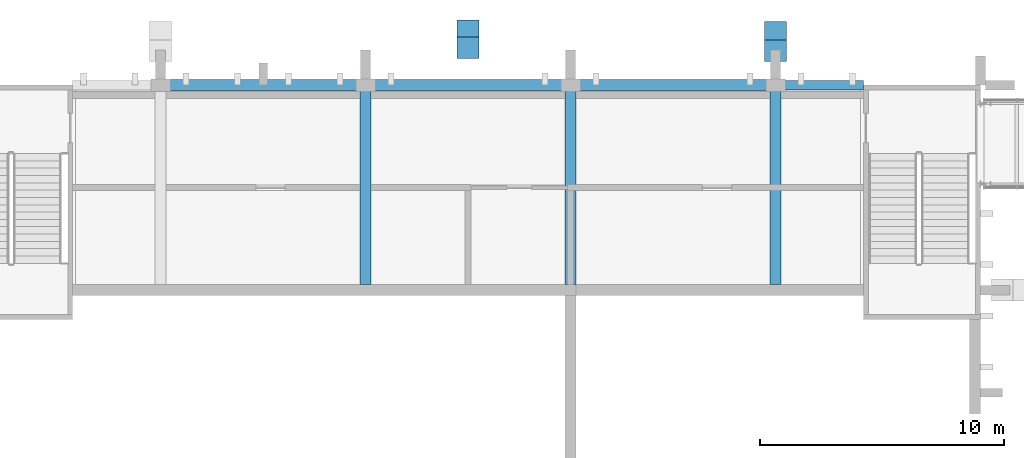
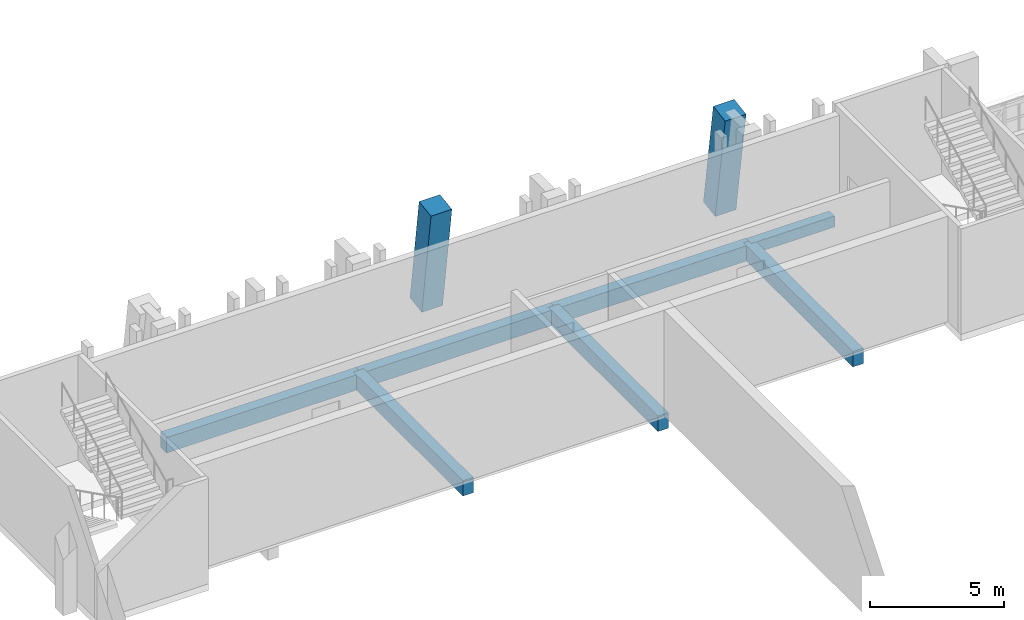
# One storey, part 10 of 91: 7 beams, 2 members.
"""IFC4 building model written with IfcOpenShell, lengths in metres."""

from ifc_helpers import new_model, si_unit, direction, frame, origin, origin_2d, place, context, subcontext, project, spatial, rectangle, extrude, material, material_profile, profile_set, type_object, element, save


model = new_model("IFC4")

# Units and contexts
model_context = context("Model", 3, precision=1e-05, world=origin(), true_north=direction((0.0, 1.0)))
body_context = subcontext(model_context, "Body", "Model", "MODEL_VIEW")
ifc_project = project(units=[si_unit("LENGTHUNIT", "METRE"), si_unit("AREAUNIT", "SQUARE_METRE"), si_unit("VOLUMEUNIT", "CUBIC_METRE"), si_unit("PLANEANGLEUNIT", "RADIAN"), si_unit("MASSUNIT", "GRAM", prefix="KILO")], contexts=[model_context])

# Site, building, storey
site_placement = place(None, origin())
site = spatial("IfcSite", under=ifc_project, at=site_placement, CompositionType="ELEMENT")
building_placement = place(site_placement, origin())
building = spatial("IfcBuilding", under=site, at=building_placement, Name="Kiln Court Media Centre", CompositionType="ELEMENT")
storey_placement = place(building_placement, frame((0.0, 0.0, 5.39990234375)))
storey = spatial("IfcBuildingStorey", under=building, at=storey_placement, Name="L01", CompositionType="ELEMENT", Elevation=5.39990234375)

# Beams
ifc_material_1 = material(Name="Concrete C30/37", Category="concrete")
ifc_material_profile_1 = material_profile(ifc_material_1, rectangle(XDim=0.39990234375, YDim=0.5, at=origin_2d()), Name="RC 400x500")
ifc_profile_set_1 = profile_set([ifc_material_profile_1], Name="Concrete C30/37")
beam_type_1 = type_object("IfcBeamType", Name="Concrete C30/37 beam 400x500", PredefinedType="BEAM", material=ifc_profile_set_1)
beam_1_placement = place(storey_placement, frame((92.39990234375, 67.199951171875, -0.5498046875), z_axis=(1.0, 0.0, 0.0), x_axis=(0.0, 1.0, 0.0)))
element("IfcBeam", 1, at=beam_1_placement, inside=storey, type_object=beam_type_1, Name="L01-B-1101", PredefinedType="BEAM", context=body_context, shape_type="SweptSolid", body=[
    extrude(rectangle(XDim=0.39990234375, YDim=0.5, at=origin_2d()), origin(), (0.0, 0.0, 1.0), 3.60009765625),
])
ifc_material_2 = material(Name="Concrete C30/37", Category="concrete")
ifc_material_profile_2 = material_profile(ifc_material_2, rectangle(XDim=0.449951171875, YDim=0.699951171875, at=origin_2d()), Name="RC 450x700")
ifc_profile_set_2 = profile_set([ifc_material_profile_2], Name="Concrete C30/37")
beam_type_2 = type_object("IfcBeamType", Name="Concrete C30/37 beam 450x700", PredefinedType="BEAM", material=ifc_profile_set_2)
for number, where, z_axis, x_axis, name in (
    (2, (75.60009765625, 59.02490234375, -0.64990234375), (0.0, 1.0, 0.0), (-1.0, 0.0, 0.0), "L01-B-1086"),
    (3, (84.0, 59.02490234375, -0.64990234375), (0.0, 1.0, 0.0), (-1.0, 0.0, 0.0), "L01-B-1088"),
    (4, (92.39990234375, 59.02490234375, -0.64990234375), (0.0, 1.0, 0.0), (-1.0, 0.0, 0.0), "L01-B-1090"),
):
    element("IfcBeam", number, at=place(storey_placement, frame(where, z_axis=z_axis, x_axis=x_axis)), inside=storey, type_object=beam_type_2, Name=name, PredefinedType="BEAM", context=body_context, shape_type="SweptSolid", body=[
        extrude(rectangle(XDim=0.449951171875, YDim=0.699951171875, at=origin_2d()), origin(), (0.0, 0.0, 1.0), 8.175048828125),
    ])
beam_2_placement = place(storey_placement, frame((67.199951171875, 67.199951171875, -0.64990234375), z_axis=(1.0, 0.0, 0.0), x_axis=(0.0, 1.0, 0.0)))
element("IfcBeam", 5, at=beam_2_placement, inside=storey, type_object=beam_type_2, Name="L01-B-1098", PredefinedType="BEAM", context=body_context, shape_type="SweptSolid", body=[
    extrude(rectangle(XDim=0.449951171875, YDim=0.699951171875, at=origin_2d()), origin(), (0.0, 0.0, 1.0), 8.400146484375),
])
for number, where, z_axis, x_axis, name in (
    (6, (75.60009765625, 67.199951171875, -0.64990234375), (1.0, 0.0, 0.0), (0.0, 1.0, 0.0), "L01-B-1099"),
    (7, (84.0, 67.199951171875, -0.64990234375), (1.0, 0.0, 0.0), (0.0, 1.0, 0.0), "L01-B-1100"),
):
    element("IfcBeam", number, at=place(storey_placement, frame(where, z_axis=z_axis, x_axis=x_axis)), inside=storey, type_object=beam_type_2, Name=name, PredefinedType="BEAM", context=body_context, shape_type="SweptSolid", body=[
        extrude(rectangle(XDim=0.449951171875, YDim=0.699951171875, at=origin_2d()), origin(), (0.0, 0.0, 1.0), 8.39990234375),
    ])

# Members
ifc_material_3 = material(Name="Concrete C40/50", Category="concrete")
ifc_material_profile_3 = material_profile(ifc_material_3, rectangle(XDim=0.89990234375, YDim=0.89990234375, at=origin_2d()), Name="RC 900x900")
ifc_profile_set_3 = profile_set([ifc_material_profile_3], Name="Concrete C40/50")
member_type = type_object("IfcMemberType", Name="Concrete C40/50 raked column 900x900", PredefinedType="STRUT", material=ifc_profile_set_3)
member_1_placement = place(storey_placement, frame((79.800048828125, 69.42578125, 0.0), z_axis=(0.0, -0.141879504146, 0.989883935774), x_axis=(1.0, 0.0, 0.0)))
element("IfcMember", 8, at=member_1_placement, inside=storey, type_object=member_type, Name="L01-M-1005", PredefinedType="STRUT", context=body_context, shape_type="SweptSolid", body=[
    extrude(rectangle(XDim=0.89990234375, YDim=0.89990234375, at=origin_2d()), origin(), (0.0, 0.0, 1.0), 4.84912109375),
])
member_2_placement = place(storey_placement, frame((92.39990234375, 69.358642578125, 0.0), z_axis=(0.0, -0.153982872492, 0.988073516991), x_axis=(1.0, 0.0, 0.0)))
element("IfcMember", 9, at=member_2_placement, inside=storey, type_object=member_type, Name="L01-M-1006", PredefinedType="STRUT", context=body_context, shape_type="SweptSolid", body=[
    extrude(rectangle(XDim=0.89990234375, YDim=0.89990234375, at=origin_2d()), origin(), (0.0, 0.0, 1.0), 4.85791015625),
])

save(model, "model.ifc")
